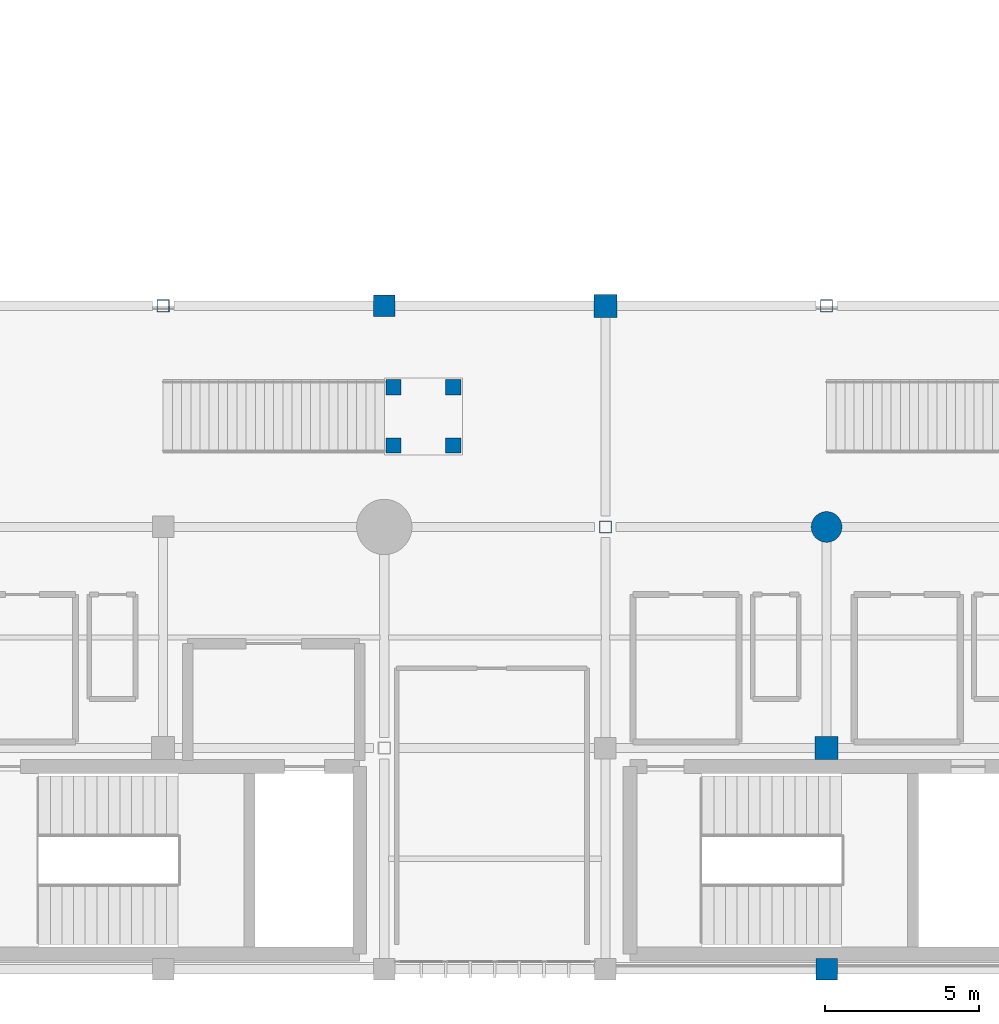
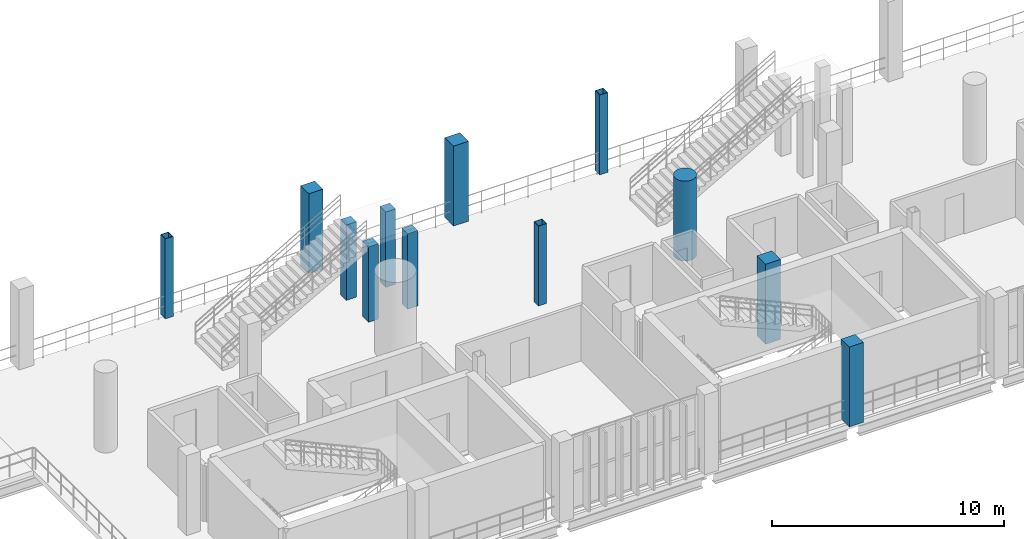
# One storey, part 2 of 130: 12 columns.
"""IFC4 building model written with IfcOpenShell, lengths in metres."""

from ifc_helpers import new_model, si_unit, direction, frame, origin, origin_2d, place, context, subcontext, project, spatial, rectangle, hollow_rectangle, circle, extrude, material, material_profile, profile_set, type_object, element, save


model = new_model("IFC4")

# Units and contexts
model_context = context("Model", 3, precision=1e-05, world=origin(), true_north=direction((0.0, 1.0)))
body_context = subcontext(model_context, "Body", "Model", "MODEL_VIEW")
ifc_project = project(units=[si_unit("LENGTHUNIT", "METRE"), si_unit("AREAUNIT", "SQUARE_METRE"), si_unit("VOLUMEUNIT", "CUBIC_METRE"), si_unit("PLANEANGLEUNIT", "RADIAN"), si_unit("MASSUNIT", "GRAM", prefix="KILO")], contexts=[model_context])

# Site, building, storey
site_placement = place(None, origin())
site = spatial("IfcSite", under=ifc_project, at=site_placement, CompositionType="ELEMENT")
building_placement = place(site_placement, origin())
building = spatial("IfcBuilding", under=site, at=building_placement, Name="Qandorah Velis Arena", CompositionType="ELEMENT")
storey_placement = place(building_placement, frame((0.0, 0.0, 9.60009765625)))
storey = spatial("IfcBuildingStorey", under=building, at=storey_placement, Name="L02", CompositionType="ELEMENT", Elevation=9.60009765625)

# Columns
ifc_material_1 = material(Name="Concrete C40/50", Category="concrete")
ifc_material_profile_1 = material_profile(ifc_material_1, rectangle(XDim=0.5, YDim=0.5, at=origin_2d()), Name="RC COL 500x500")
ifc_profile_set_1 = profile_set([ifc_material_profile_1], Name="Concrete C40/50")
column_type_1 = type_object("IfcColumnType", Name="STR-COL-RC500", PredefinedType="COLUMN", material=ifc_profile_set_1)
for number, where, z_axis, x_axis, name in (
    (1, (43.5, 17.050048828125, 0.0), (0.0, 0.0, 1.0), (1.0, 0.0, 0.0), "Vomitory VS9 L02 landing column 1"),
    (2, (45.449951171875, 17.050048828125, 0.0), (0.0, 0.0, 1.0), (1.0, 0.0, 0.0), "Vomitory VS9 L02 landing column 2"),
    (3, (43.5, 18.949951171875, 0.0), (0.0, 0.0, 1.0), (1.0, 0.0, 0.0), "Vomitory VS9 L02 landing column 3"),
    (4, (45.449951171875, 18.949951171875, 0.0), (0.0, 0.0, 1.0), (1.0, 0.0, 0.0), "Vomitory VS9 L02 landing column 4"),
):
    element("IfcColumn", number, at=place(storey_placement, frame(where, z_axis=z_axis, x_axis=x_axis)), inside=storey, type_object=column_type_1, Name=name, PredefinedType="COLUMN", context=body_context, shape_type="SweptSolid", body=[
        extrude(rectangle(XDim=0.5, YDim=0.5, at=origin_2d()), origin(), (0.0, 0.0, 1.0), 3.9599609375),
    ])
ifc_material_profile_2 = material_profile(ifc_material_1, rectangle(XDim=0.699951171875, YDim=0.699951171875, at=origin_2d()), Name="RC COL 700x700")
ifc_profile_set_2 = profile_set([ifc_material_profile_2], Name="Concrete C40/50")
column_type_2 = type_object("IfcColumnType", Name="STR-COL-RC700", PredefinedType="COLUMN", material=ifc_profile_set_2)
for number, where, z_axis, x_axis, name in (
    (5, (43.199951171875, 21.60009765625, 0.0), (0.0, 0.0, 1.0), (1.0, 0.0, 0.0), "Structural column L02-079"),
    (6, (57.60009765625, 0.0, 0.0), (0.0, 0.0, 1.0), (1.0, 0.0, 0.0), "Structural column L02-092"),
):
    element("IfcColumn", number, at=place(storey_placement, frame(where, z_axis=z_axis, x_axis=x_axis)), inside=storey, type_object=column_type_2, Name=name, PredefinedType="COLUMN", context=body_context, shape_type="SweptSolid", body=[
        extrude(rectangle(XDim=0.699951171875, YDim=0.699951171875, at=origin_2d()), origin(), (0.0, 0.0, 1.0), 4.199951171875),
    ])
ifc_material_profile_3 = material_profile(ifc_material_1, rectangle(XDim=0.75, YDim=0.75, at=origin_2d()), Name="RC COL 750x750")
ifc_profile_set_3 = profile_set([ifc_material_profile_3], Name="Concrete C40/50")
column_type_3 = type_object("IfcColumnType", Name="STR-COL-RC750", PredefinedType="COLUMN", material=ifc_profile_set_3)
for number, where, z_axis, x_axis, name in (
    (7, (50.39990234375, 21.60009765625, 0.0), (0.0, 0.0, 1.0), (1.0, 0.0, 0.0), "Structural column L02-087"),
    (8, (57.60009765625, 7.199951171875, 0.0), (0.0, 0.0, 1.0), (1.0, 0.0, 0.0), "Structural column L02-093"),
):
    element("IfcColumn", number, at=place(storey_placement, frame(where, z_axis=z_axis, x_axis=x_axis)), inside=storey, type_object=column_type_3, Name=name, PredefinedType="COLUMN", context=body_context, shape_type="SweptSolid", body=[
        extrude(rectangle(XDim=0.75, YDim=0.75, at=origin_2d()), origin(), (0.0, 0.0, 1.0), 4.199951171875),
    ])
ifc_material_profile_4 = material_profile(ifc_material_1, circle(Radius=0.5, at=origin_2d()), Name="RC D1000")
ifc_profile_set_4 = profile_set([ifc_material_profile_4], Name="Concrete C40/50")
column_type_4 = type_object("IfcColumnType", Name="STR-COL-RCD1000", PredefinedType="COLUMN", material=ifc_profile_set_4)
column_placement = place(storey_placement, frame((57.60009765625, 14.39990234375, 0.0), z_axis=(0.0, 0.0, 1.0), x_axis=(1.0, 0.0, 0.0)))
element("IfcColumn", 9, at=column_placement, inside=storey, type_object=column_type_4, Name="Bowl drum ring column L02-094", PredefinedType="COLUMN", context=body_context, shape_type="SweptSolid", body=[
    extrude(circle(Radius=0.5, at=origin_2d()), origin(), (0.0, 0.0, 1.0), 4.199951171875),
])
ifc_material_2 = material(Name="Steel S355", Category="steel")
ifc_material_profile_5 = material_profile(ifc_material_2, hollow_rectangle(XDim=0.39990234375, YDim=0.39990234375, WallThickness=0.02001953125, at=origin_2d()), Name="SHS 400x400x20")
ifc_profile_set_5 = profile_set([ifc_material_profile_5], Name="Steel S355")
column_type_5 = type_object("IfcColumnType", Name="STR-COL-SHS400", PredefinedType="COLUMN", material=ifc_profile_set_5)
for number, where, z_axis, x_axis, name in (
    (10, (36.0, 21.60009765625, 0.0), (0.0, 0.0, 1.0), (1.0, 0.0, 0.0), "Structural column L02-071"),
    (11, (50.39990234375, 14.39990234375, 0.0), (0.0, 0.0, 1.0), (1.0, 0.0, 0.0), "Structural column L02-086"),
    (12, (57.60009765625, 21.60009765625, 0.0), (0.0, 0.0, 1.0), (1.0, 0.0, 0.0), "Structural column L02-095"),
):
    element("IfcColumn", number, at=place(storey_placement, frame(where, z_axis=z_axis, x_axis=x_axis)), inside=storey, type_object=column_type_5, Name=name, PredefinedType="COLUMN", context=body_context, shape_type="SweptSolid", body=[
        extrude(hollow_rectangle(XDim=0.39990234375, YDim=0.39990234375, WallThickness=0.02001953125, at=origin_2d()), origin(), (0.0, 0.0, 1.0), 4.199951171875),
    ])

save(model, "model.ifc")
